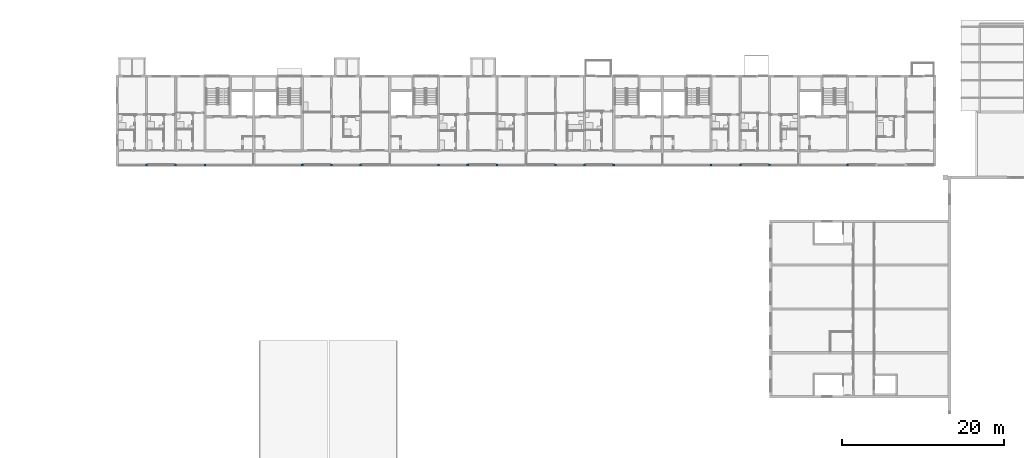
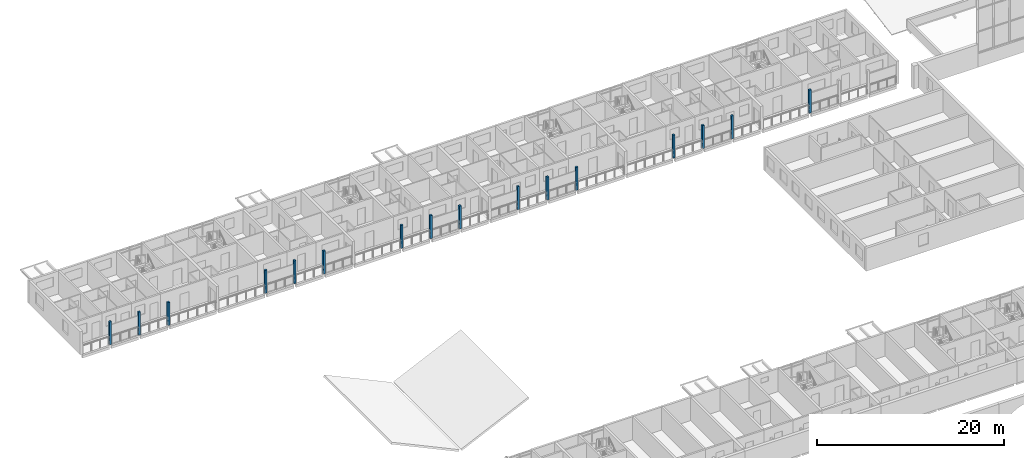
# One storey, part 4 of 122: 16 columns.
"""IFC4 building model written with IfcOpenShell, lengths in metres."""

import ifcopenshell
import ifcopenshell.guid

model = None  # the IFC model being written
_history = None  # IfcOwnerHistory: only IFC2X3 demands one
_inside = {}  # id of a spatial element -> (the spatial element, [elements in it])
_under = {}  # id of a project, library or spatial element -> (it, [spatial elements below it])
_declared = {}  # id of a project -> (the project, [libraries it declares])
_typed = {}  # id of a type object -> (the type object, [elements of that type])
_made_of = {}  # id of a material, layer set ... -> (it, [elements and type objects made of it])


def new_model(schema):
    """Start an empty IFC model of exactly this schema.

    Asked for "IFC4X3", IfcOpenShell would pick the latest addendum, in which some entities
    have other attributes; the version numbers below select the first issue.
    IFC2X3 requires an IfcOwnerHistory on every rooted entity: one is made here for all.
    """
    global model, _history
    if schema == "IFC4X3":
        model = ifcopenshell.file(schema_version=(4, 3, 0, 0))
    else:
        model = ifcopenshell.file(schema=schema)
    _inside.clear()
    _under.clear()
    _declared.clear()
    _typed.clear()
    _made_of.clear()
    _history = None
    if model.schema == "IFC2X3":
        org = make("IfcOrganization", Name="unknown")
        user = make(
            "IfcPersonAndOrganization",
            ThePerson=make("IfcPerson", FamilyName="unknown"),
            TheOrganization=org,
        )
        app = make(
            "IfcApplication",
            ApplicationDeveloper=org,
            Version="unknown",
            ApplicationFullName="unknown",
            ApplicationIdentifier="unknown",
        )
        _history = make(
            "IfcOwnerHistory",
            OwningUser=user,
            OwningApplication=app,
            ChangeAction="ADDED",
            CreationDate=0,
        )
    return model


def make(cls, **values):
    """One entity of the class cls with the attributes given. An attribute that is None is left unset."""
    return model.create_entity(
        cls, **{name: value for name, value in values.items() if value is not None}
    )


def rooted(cls, **values):
    """An entity with a GlobalId (a new one), such as an element, a storey or a relation."""
    return make(cls, GlobalId=ifcopenshell.guid.new(), OwnerHistory=_history, **values)


def si_unit(unit_type, name, prefix=None):
    """IfcSIUnit, for example si_unit("LENGTHUNIT", "METRE", prefix="MILLI")."""
    return make("IfcSIUnit", UnitType=unit_type, Prefix=prefix, Name=name)


def assignment(units):
    """IfcUnitAssignment: the units of a project."""
    return None if units is None else make("IfcUnitAssignment", Units=units)


def point(xyz):
    """IfcCartesianPoint."""
    return None if xyz is None else make("IfcCartesianPoint", Coordinates=xyz)


def direction(xyz):
    """IfcDirection."""
    return None if xyz is None else make("IfcDirection", DirectionRatios=xyz)


def frame(location, z_axis=None, x_axis=None):
    """IfcAxis2Placement3D, a coordinate frame: its origin and axes. An axis left out is left unset."""
    return make(
        "IfcAxis2Placement3D",
        Location=point(location),
        Axis=direction(z_axis),
        RefDirection=direction(x_axis),
    )


def frame_2d(location, x_axis=None):
    """IfcAxis2Placement2D, a coordinate frame in the plane: its origin and x axis."""
    return make(
        "IfcAxis2Placement2D", Location=point(location), RefDirection=direction(x_axis)
    )


def origin():
    """The frame at (0, 0, 0) with its axes left unset."""
    return frame((0.0, 0.0, 0.0))


def origin_2d():
    """The frame at (0, 0) in the plane with its x axis left unset."""
    return frame_2d((0.0, 0.0))


def place(relative_to, where):
    """IfcLocalPlacement: puts the frame where relative to a parent placement (None: the world)."""
    return make(
        "IfcLocalPlacement", PlacementRelTo=relative_to, RelativePlacement=where
    )


def context(
    kind, dimensions, precision=None, world=None, true_north=None, identifier=None
):
    """IfcGeometricRepresentationContext, for example the 3D "Model" context."""
    return make(
        "IfcGeometricRepresentationContext",
        ContextIdentifier=identifier,
        ContextType=kind,
        CoordinateSpaceDimension=dimensions,
        Precision=precision,
        WorldCoordinateSystem=world,
        TrueNorth=true_north,
    )


def subcontext(parent, identifier, kind, view, scale=None):
    """IfcGeometricRepresentationSubContext, for example "Body" below "Model"."""
    return make(
        "IfcGeometricRepresentationSubContext",
        ContextIdentifier=identifier,
        ContextType=kind,
        ParentContext=parent,
        TargetScale=scale,
        TargetView=view,
    )


def project(units=None, contexts=None):
    """IfcProject with its units and contexts."""
    return rooted(
        "IfcProject",
        Name="project",
        RepresentationContexts=contexts,
        UnitsInContext=assignment(units),
    )


def spatial(cls, under=None, at=None, **own):
    """A site, building, storey or space (cls), placed at a placement, below another one or the project."""
    s = rooted(cls, ObjectPlacement=at, **own)
    if under is not None:
        _under.setdefault(under.id(), (under, []))[1].append(s)
    return s


def profile(cls, at=None, kind="AREA", **sizes):
    """A parametric profile (cls). Its sizes go by their IFC names, for example OverallWidth=200.0."""
    return make(cls, ProfileType=kind, Position=at, **sizes)


def rectangle(**sizes):
    """IfcRectangleProfileDef."""
    return profile("IfcRectangleProfileDef", **sizes)


def extrude(swept, where, along, depth):
    """IfcExtrudedAreaSolid: the profile swept, set in the frame where, extruded along a direction by depth."""
    return make(
        "IfcExtrudedAreaSolid",
        SweptArea=swept,
        Position=where,
        ExtrudedDirection=direction(along),
        Depth=depth,
    )


def shape(context_of_items, identifier, shape_type, items):
    """IfcShapeRepresentation: the items that make up one representation, for example the "Body"."""
    return make(
        "IfcShapeRepresentation",
        ContextOfItems=context_of_items,
        RepresentationIdentifier=identifier,
        RepresentationType=shape_type,
        Items=items,
    )


def material(Name=None, Category=None):
    """IfcMaterial."""
    return make("IfcMaterial", Name=Name, Category=Category)


def material_profile(
    of_material, cross_section, Name=None, Category=None, Priority=None
):
    """IfcMaterialProfile: a cross section and its material."""
    return make(
        "IfcMaterialProfile",
        Name=Name,
        Material=of_material,
        Profile=cross_section,
        Priority=Priority,
        Category=Category,
    )


def profile_set(profiles, Name=None, composite=None):
    """IfcMaterialProfileSet."""
    return make(
        "IfcMaterialProfileSet",
        Name=Name,
        MaterialProfiles=profiles,
        CompositeProfile=composite,
    )


def made_of(thing, what):
    """Note that an element or type object is made of a material, layer set ...; save() writes the relation."""
    if what is not None:
        _made_of.setdefault(what.id(), (what, []))[1].append(thing)
    return thing


def type_object(cls, material=None, **own):
    """A type object (cls), such as IfcWallType, which elements share."""
    return made_of(rooted(cls, **own), material)


def element(
    cls,
    number,
    at=None,
    inside=None,
    cuts=None,
    type_object=None,
    material=None,
    context=None,
    identifier="Body",
    shape_type=None,
    held_by="IfcProductDefinitionShape",
    body=None,
    shapes=None,
    **own,
):
    """One element of the class cls, such as IfcWall. Its Tag is "e" and its number.

    at: its placement. inside: the storey or other place that contains it. cuts: it is an
    opening in that element (IfcRelVoidsElement). A single representation is given by context,
    identifier, shape_type and body (its items); several are given by shapes. held_by: the class
    of the entity that holds the representations. save() writes the other relations.
    """
    e = rooted(cls, Tag="e%d" % number, ObjectPlacement=at, **own)
    if body is not None:
        shapes = [shape(context, identifier, shape_type, body)]
    if shapes is not None:
        e.Representation = make(held_by, Representations=shapes)
    if inside is not None:
        _inside.setdefault(inside.id(), (inside, []))[1].append(e)
    if cuts is not None:
        rooted(
            "IfcRelVoidsElement", RelatingBuildingElement=cuts, RelatedOpeningElement=e
        )
    if type_object is not None:
        _typed.setdefault(type_object.id(), (type_object, []))[1].append(e)
    return made_of(e, material)


def aggregate(whole, parts):
    """IfcRelAggregates: a whole, such as a stair, and the parts it consists of."""
    return rooted("IfcRelAggregates", RelatingObject=whole, RelatedObjects=parts)


def save(model, path):
    """Write the relations noted so far, then the file.

    IfcRelAggregates (storeys below a building ...), IfcRelContainedInSpatialStructure (elements
    in a storey), IfcRelDefinesByType, IfcRelAssociatesMaterial and IfcRelDeclares: one each for
    every whole, place, type object, material and project.
    """
    for whole, parts in _under.values():
        aggregate(whole, parts)
    for where, things in _inside.values():
        rooted(
            "IfcRelContainedInSpatialStructure",
            RelatedElements=things,
            RelatingStructure=where,
        )
    for kind, things in _typed.values():
        rooted("IfcRelDefinesByType", RelatedObjects=things, RelatingType=kind)
    for what, things in _made_of.values():
        rooted("IfcRelAssociatesMaterial", RelatedObjects=things, RelatingMaterial=what)
    for by, libraries in _declared.values():
        rooted("IfcRelDeclares", RelatingContext=by, RelatedDefinitions=libraries)
    model.write(path)


model = new_model("IFC4")

# Units and contexts
model_context = context("Model", 3, precision=1e-05, world=origin(), true_north=direction((0.0, 1.0)))
body_context = subcontext(model_context, "Body", "Model", "MODEL_VIEW")
ifc_project = project(units=[si_unit("LENGTHUNIT", "METRE"), si_unit("AREAUNIT", "SQUARE_METRE"), si_unit("VOLUMEUNIT", "CUBIC_METRE"), si_unit("PLANEANGLEUNIT", "RADIAN"), si_unit("MASSUNIT", "GRAM", prefix="KILO")], contexts=[model_context])

# Site, building, storey
site_placement = place(None, origin())
site = spatial("IfcSite", under=ifc_project, at=site_placement, CompositionType="ELEMENT")
building_placement = place(site_placement, origin())
building = spatial("IfcBuilding", under=site, at=building_placement, Name="Ridgestep Commons", CompositionType="ELEMENT")
storey_placement = place(building_placement, frame((0.0, 0.0, 3.0)))
storey = spatial("IfcBuildingStorey", under=building, at=storey_placement, Name="L01", CompositionType="ELEMENT", Elevation=3.0)

# Columns
ifc_material = material(Name="Precast concrete C40/50", Category="concrete")
ifc_material_profile = material_profile(ifc_material, rectangle(XDim=0.25, YDim=0.25, at=origin_2d()), Name="PC 250x250")
ifc_profile_set = profile_set([ifc_material_profile], Name="Precast concrete C40/50")
column_type = type_object("IfcColumnType", Name="Loggia column 250 x 250", PredefinedType="COLUMN", material=ifc_profile_set)
for number, where, z_axis, x_axis, name in (
    (1, (15.60009765625, 66.125, 0.0), (0.0, 0.0, 1.0), (1.0, 0.0, 0.0), "Loggia column B L01"),
    (2, (19.199951171875, 66.125, 0.0), (0.0, 0.0, 1.0), (1.0, 0.0, 0.0), "Loggia column B L01"),
    (3, (22.800048828125, 66.125, 0.0), (0.0, 0.0, 1.0), (1.0, 0.0, 0.0), "Loggia column B L01"),
    (4, (34.800048828125, 66.125, 0.0), (0.0, 0.0, 1.0), (1.0, 0.0, 0.0), "Loggia column B L01"),
    (5, (38.39990234375, 66.125, 0.0), (0.0, 0.0, 1.0), (1.0, 0.0, 0.0), "Loggia column B L01"),
    (6, (42.0, 66.125, 0.0), (0.0, 0.0, 1.0), (1.0, 0.0, 0.0), "Loggia column B L01"),
    (7, (51.60009765625, 66.125, 0.0), (0.0, 0.0, 1.0), (1.0, 0.0, 0.0), "Loggia column B L01"),
    (8, (55.199951171875, 66.125, 0.0), (0.0, 0.0, 1.0), (1.0, 0.0, 0.0), "Loggia column B L01"),
    (9, (58.800048828125, 66.125, 0.0), (0.0, 0.0, 1.0), (1.0, 0.0, 0.0), "Loggia column B L01"),
    (10, (66.0, 66.125, 0.0), (0.0, 0.0, 1.0), (1.0, 0.0, 0.0), "Loggia column B L01"),
    (11, (69.60009765625, 66.125, 0.0), (0.0, 0.0, 1.0), (1.0, 0.0, 0.0), "Loggia column B L01"),
    (12, (73.199951171875, 66.125, 0.0), (0.0, 0.0, 1.0), (1.0, 0.0, 0.0), "Loggia column B L01"),
    (13, (85.199951171875, 66.125, 0.0), (0.0, 0.0, 1.0), (1.0, 0.0, 0.0), "Loggia column B L01"),
    (14, (88.800048828125, 66.125, 0.0), (0.0, 0.0, 1.0), (1.0, 0.0, 0.0), "Loggia column B L01"),
    (15, (92.39990234375, 66.125, 0.0), (0.0, 0.0, 1.0), (1.0, 0.0, 0.0), "Loggia column B L01"),
    (16, (102.0, 66.125, 0.0), (0.0, 0.0, 1.0), (1.0, 0.0, 0.0), "Loggia column B L01"),
):
    element("IfcColumn", number, at=place(storey_placement, frame(where, z_axis=z_axis, x_axis=x_axis)), inside=storey, type_object=column_type, Name=name, PredefinedType="COLUMN", context=body_context, shape_type="SweptSolid", body=[
        extrude(rectangle(XDim=0.25, YDim=0.25, at=origin_2d()), origin(), (0.0, 0.0, 1.0), 3.0),
    ])

save(model, "model.ifc")
